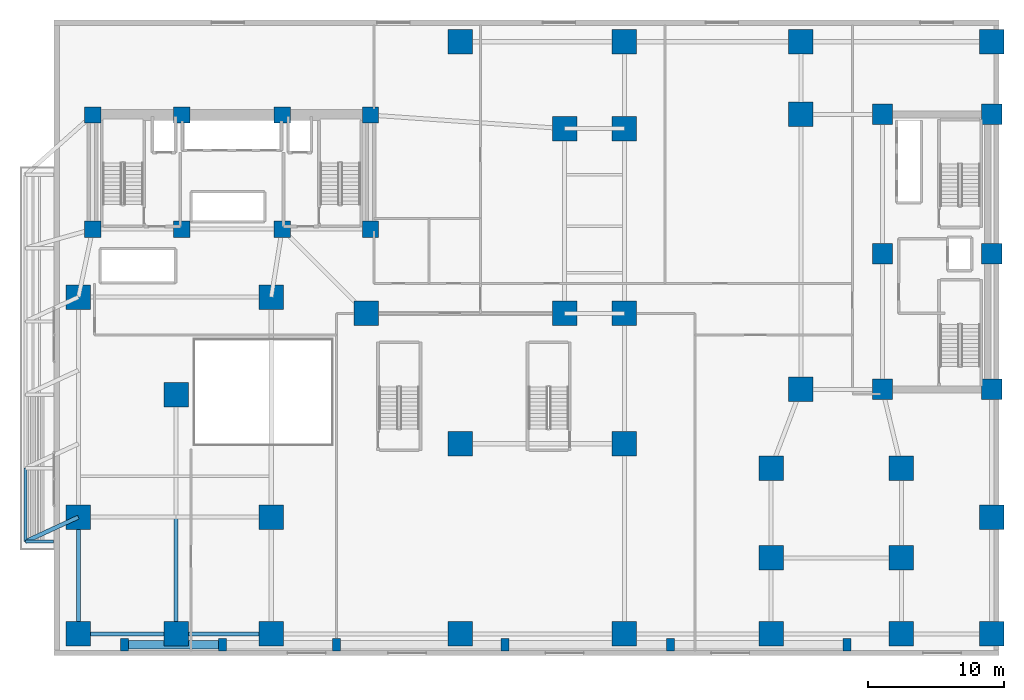
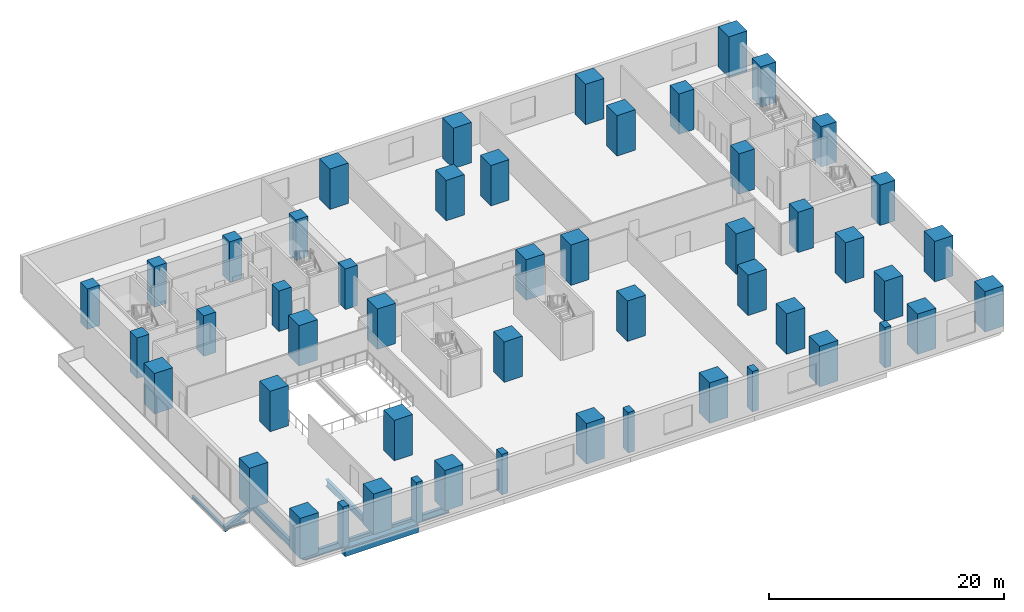
# One storey, part 1 of 13: 51 columns, 8 beams.
"""IFC4 building model written with IfcOpenShell, lengths in metres."""

from ifc_helpers import new_model, si_unit, direction, frame, origin, origin_2d, place, context, subcontext, project, spatial, rectangle, i_section, extrude, material, material_profile, profile_set, type_object, element, save


model = new_model("IFC4")

# Units and contexts
model_context = context("Model", 3, precision=1e-05, world=origin(), true_north=direction((0.0, 1.0)))
body_context = subcontext(model_context, "Body", "Model", "MODEL_VIEW")
ifc_project = project(units=[si_unit("LENGTHUNIT", "METRE"), si_unit("AREAUNIT", "SQUARE_METRE"), si_unit("VOLUMEUNIT", "CUBIC_METRE"), si_unit("PLANEANGLEUNIT", "RADIAN"), si_unit("MASSUNIT", "GRAM", prefix="KILO")], contexts=[model_context])

# Site, building, storey
site_placement = place(None, origin())
site = spatial("IfcSite", under=ifc_project, at=site_placement, CompositionType="ELEMENT")
building_placement = place(site_placement, origin())
building = spatial("IfcBuilding", under=site, at=building_placement, Name="Kuzgunbayir Cultural Tower", CompositionType="ELEMENT")
storey_placement = place(building_placement, frame((0.0, 0.0, 4.60009765625)))
storey = spatial("IfcBuildingStorey", under=building, at=storey_placement, Name="L01", CompositionType="ELEMENT", Elevation=4.60009765625)

# Columns
ifc_material_1 = material(Name="Concrete C60/75", Category="concrete")
ifc_material_profile_1 = material_profile(ifc_material_1, rectangle(XDim=1.199951171875, YDim=1.199951171875, at=origin_2d()), Name="RC 1200x1200")
ifc_profile_set_1 = profile_set([ifc_material_profile_1], Name="Concrete C60/75")
column_type_1 = type_object("IfcColumnType", Name="COL-CORE-1200", PredefinedType="COLUMN", material=ifc_profile_set_1)
for number, where, z_axis, x_axis, name in (
    (1, (6.449951171875, 33.800048828125, 0.0), (0.0, 0.0, 1.0), (1.0, 0.0, 0.0), "L01 T1 Core Boundary Column CC1-1"),
    (2, (13.0, 33.800048828125, 0.0), (0.0, 0.0, 1.0), (1.0, 0.0, 0.0), "L01 T1 Core Boundary Column CC1-2"),
    (3, (20.39990234375, 33.800048828125, 0.0), (0.0, 0.0, 1.0), (1.0, 0.0, 0.0), "L01 T1 Core Boundary Column CC1-3"),
    (4, (26.89990234375, 33.800048828125, 0.0), (0.0, 0.0, 1.0), (1.0, 0.0, 0.0), "L01 T1 Core Boundary Column CC1-4"),
    (5, (6.449951171875, 42.199951171875, 0.0), (0.0, 0.0, 1.0), (1.0, 0.0, 0.0), "L01 T1 Core Boundary Column CC1-5"),
    (6, (13.0, 42.199951171875, 0.0), (0.0, 0.0, 1.0), (1.0, 0.0, 0.0), "L01 T1 Core Boundary Column CC1-6"),
    (7, (20.39990234375, 42.199951171875, 0.0), (0.0, 0.0, 1.0), (1.0, 0.0, 0.0), "L01 T1 Core Boundary Column CC1-7"),
    (8, (26.89990234375, 42.199951171875, 0.0), (0.0, 0.0, 1.0), (1.0, 0.0, 0.0), "L01 T1 Core Boundary Column CC1-8"),
):
    element("IfcColumn", number, at=place(storey_placement, frame(where, z_axis=z_axis, x_axis=x_axis)), inside=storey, type_object=column_type_1, Name=name, PredefinedType="COLUMN", context=body_context, shape_type="SweptSolid", body=[
        extrude(rectangle(XDim=1.199951171875, YDim=1.199951171875, at=origin_2d()), origin(), (0.0, 0.0, 1.0), 4.199951171875),
    ])
ifc_material_profile_2 = material_profile(ifc_material_1, rectangle(XDim=1.5, YDim=1.5, at=origin_2d()), Name="RC 1500x1500")
ifc_profile_set_2 = profile_set([ifc_material_profile_2], Name="Concrete C60/75")
column_type_2 = type_object("IfcColumnType", Name="COL-MEGA-1500", PredefinedType="COLUMN", material=ifc_profile_set_2)
for number, where, z_axis, x_axis, name in (
    (9, (64.60009765625, 22.0, 0.0), (0.0, 0.0, 1.0), (1.0, 0.0, 0.0), "L01 T2 Core Boundary Column CC2-1"),
    (10, (72.64990234375, 22.0, 0.0), (0.0, 0.0, 1.0), (1.0, 0.0, 0.0), "L01 T2 Core Boundary Column CC2-2"),
    (11, (64.60009765625, 32.0, 0.0), (0.0, 0.0, 1.0), (1.0, 0.0, 0.0), "L01 T2 Core Boundary Column CC2-3"),
    (12, (72.64990234375, 32.0, 0.0), (0.0, 0.0, 1.0), (1.0, 0.0, 0.0), "L01 T2 Core Boundary Column CC2-4"),
    (13, (64.60009765625, 42.25, 0.0), (0.0, 0.0, 1.0), (1.0, 0.0, 0.0), "L01 T2 Core Boundary Column CC2-5"),
    (14, (72.64990234375, 42.25, 0.0), (0.0, 0.0, 1.0), (1.0, 0.0, 0.0), "L01 T2 Core Boundary Column CC2-6"),
):
    element("IfcColumn", number, at=place(storey_placement, frame(where, z_axis=z_axis, x_axis=x_axis)), inside=storey, type_object=column_type_2, Name=name, PredefinedType="COLUMN", context=body_context, shape_type="SweptSolid", body=[
        extrude(rectangle(XDim=1.5, YDim=1.5, at=origin_2d()), origin(), (0.0, 0.0, 1.0), 4.199951171875),
    ])
ifc_material_profile_3 = material_profile(ifc_material_1, rectangle(XDim=1.800048828125, YDim=1.800048828125, at=origin_2d()), Name="RC 1800x1800")
ifc_profile_set_3 = profile_set([ifc_material_profile_3], Name="Concrete C60/75")
column_type_3 = type_object("IfcColumnType", Name="COL-MEGA-1800", PredefinedType="COLUMN", material=ifc_profile_set_3)
for number, where, z_axis, x_axis, name in (
    (15, (5.39990234375, 12.60009765625, 0.0), (0.0, 0.0, 1.0), (1.0, 0.0, 0.0), "L01 Podium Mega-Column PC-T1A-SW"),
    (16, (19.60009765625, 12.60009765625, 0.0), (0.0, 0.0, 1.0), (1.0, 0.0, 0.0), "L01 Podium Mega-Column PC-T1A-SE"),
    (17, (5.39990234375, 28.800048828125, 0.0), (0.0, 0.0, 1.0), (1.0, 0.0, 0.0), "L01 Podium Mega-Column PC-T1A-NW"),
    (18, (19.60009765625, 28.800048828125, 0.0), (0.0, 0.0, 1.0), (1.0, 0.0, 0.0), "L01 Podium Mega-Column PC-T1A-NE"),
    (19, (26.60009765625, 27.60009765625, 0.0), (0.0, 0.0, 1.0), (1.0, 0.0, 0.0), "L01 Podium Mega-Column PC-T1B-1S"),
    (20, (41.199951171875, 27.60009765625, 0.0), (0.0, 0.0, 1.0), (1.0, 0.0, 0.0), "L01 Podium Mega-Column PC-T1B-4S"),
    (21, (45.60009765625, 27.60009765625, 0.0), (0.0, 0.0, 1.0), (1.0, 0.0, 0.0), "L01 Podium Mega-Column PC-T1B-5S"),
    (22, (41.199951171875, 41.199951171875, 0.0), (0.0, 0.0, 1.0), (1.0, 0.0, 0.0), "L01 Podium Mega-Column PC-T1B-4N"),
    (23, (45.60009765625, 41.199951171875, 0.0), (0.0, 0.0, 1.0), (1.0, 0.0, 0.0), "L01 Podium Mega-Column PC-T1B-5N"),
    (24, (58.60009765625, 22.0, 0.0), (0.0, 0.0, 1.0), (1.0, 0.0, 0.0), "L01 Podium Mega-Column PC-T2A-SW"),
    (25, (58.60009765625, 42.25, 0.0), (0.0, 0.0, 1.0), (1.0, 0.0, 0.0), "L01 Podium Mega-Column PC-T2A-NW"),
    (26, (56.39990234375, 9.60009765625, 0.0), (0.0, 0.0, 1.0), (1.0, 0.0, 0.0), "L01 Podium Mega-Column PC-T2B-SW"),
    (27, (66.0, 9.60009765625, 0.0), (0.0, 0.0, 1.0), (1.0, 0.0, 0.0), "L01 Podium Mega-Column PC-T2B-SE"),
    (28, (56.39990234375, 16.199951171875, 0.0), (0.0, 0.0, 1.0), (1.0, 0.0, 0.0), "L01 Podium Mega-Column PC-T2B-MW"),
    (29, (66.0, 16.199951171875, 0.0), (0.0, 0.0, 1.0), (1.0, 0.0, 0.0), "L01 Podium Mega-Column PC-T2B-ME"),
    (30, (5.39990234375, 4.0, 0.0), (0.0, 0.0, 1.0), (1.0, 0.0, 0.0), "L01 Podium Mega-Column PC-P01"),
    (31, (12.60009765625, 4.0, 0.0), (0.0, 0.0, 1.0), (1.0, 0.0, 0.0), "L01 Podium Mega-Column PC-P02"),
    (32, (19.60009765625, 4.0, 0.0), (0.0, 0.0, 1.0), (1.0, 0.0, 0.0), "L01 Podium Mega-Column PC-P03"),
    (33, (33.5, 4.0, 0.0), (0.0, 0.0, 1.0), (1.0, 0.0, 0.0), "L01 Podium Mega-Column PC-P04"),
    (34, (45.60009765625, 4.0, 0.0), (0.0, 0.0, 1.0), (1.0, 0.0, 0.0), "L01 Podium Mega-Column PC-P05"),
    (35, (56.39990234375, 4.0, 0.0), (0.0, 0.0, 1.0), (1.0, 0.0, 0.0), "L01 Podium Mega-Column PC-P06"),
    (36, (66.0, 4.0, 0.0), (0.0, 0.0, 1.0), (1.0, 0.0, 0.0), "L01 Podium Mega-Column PC-P07"),
    (37, (72.64990234375, 4.0, 0.0), (0.0, 0.0, 1.0), (1.0, 0.0, 0.0), "L01 Podium Mega-Column PC-P08"),
    (38, (12.60009765625, 21.60009765625, 0.0), (0.0, 0.0, 1.0), (1.0, 0.0, 0.0), "L01 Podium Mega-Column PC-P09"),
    (39, (33.5, 18.0, 0.0), (0.0, 0.0, 1.0), (1.0, 0.0, 0.0), "L01 Podium Mega-Column PC-P10"),
    (40, (45.60009765625, 18.0, 0.0), (0.0, 0.0, 1.0), (1.0, 0.0, 0.0), "L01 Podium Mega-Column PC-P11"),
    (41, (72.64990234375, 12.60009765625, 0.0), (0.0, 0.0, 1.0), (1.0, 0.0, 0.0), "L01 Podium Mega-Column PC-P12"),
    (42, (33.5, 47.60009765625, 0.0), (0.0, 0.0, 1.0), (1.0, 0.0, 0.0), "L01 Podium Mega-Column PC-P13"),
    (43, (45.60009765625, 47.60009765625, 0.0), (0.0, 0.0, 1.0), (1.0, 0.0, 0.0), "L01 Podium Mega-Column PC-P14"),
    (44, (58.60009765625, 47.60009765625, 0.0), (0.0, 0.0, 1.0), (1.0, 0.0, 0.0), "L01 Podium Mega-Column PC-P15"),
    (45, (72.64990234375, 47.60009765625, 0.0), (0.0, 0.0, 1.0), (1.0, 0.0, 0.0), "L01 Podium Mega-Column PC-P16"),
):
    element("IfcColumn", number, at=place(storey_placement, frame(where, z_axis=z_axis, x_axis=x_axis)), inside=storey, type_object=column_type_3, Name=name, PredefinedType="COLUMN", context=body_context, shape_type="SweptSolid", body=[
        extrude(rectangle(XDim=1.800048828125, YDim=1.800048828125, at=origin_2d()), origin(), (0.0, 0.0, 1.0), 4.199951171875),
    ])
ifc_material_profile_4 = material_profile(ifc_material_1, rectangle(XDim=0.60009765625, YDim=0.89990234375, at=origin_2d()), Name="RC 600x900")
ifc_profile_set_4 = profile_set([ifc_material_profile_4], Name="Concrete C60/75")
column_type_4 = type_object("IfcColumnType", Name="COL-PILASTER-600x900", PredefinedType="PILASTER", material=ifc_profile_set_4)
for number, where, z_axis, x_axis, name in (
    (46, (8.800048828125, 3.199951171875, 0.0), (0.0, 0.0, 1.0), (1.0, 0.0, 0.0), "L01 South Facade Pilaster 1"),
    (47, (16.0, 3.199951171875, 0.0), (0.0, 0.0, 1.0), (1.0, 0.0, 0.0), "L01 South Facade Pilaster 2"),
    (48, (24.39990234375, 3.199951171875, 0.0), (0.0, 0.0, 1.0), (1.0, 0.0, 0.0), "L01 South Facade Pilaster 3"),
    (49, (36.800048828125, 3.199951171875, 0.0), (0.0, 0.0, 1.0), (1.0, 0.0, 0.0), "L01 South Facade Pilaster 4"),
    (50, (49.0, 3.199951171875, 0.0), (0.0, 0.0, 1.0), (1.0, 0.0, 0.0), "L01 South Facade Pilaster 5"),
    (51, (62.0, 3.199951171875, 0.0), (0.0, 0.0, 1.0), (1.0, 0.0, 0.0), "L01 South Facade Pilaster 6"),
):
    element("IfcColumn", number, at=place(storey_placement, frame(where, z_axis=z_axis, x_axis=x_axis)), inside=storey, type_object=column_type_4, Name=name, PredefinedType="PILASTER", context=body_context, shape_type="SweptSolid", body=[
        extrude(rectangle(XDim=0.60009765625, YDim=0.89990234375, at=origin_2d()), origin(), (0.0, 0.0, 1.0), 4.199951171875),
    ])

# Beams
ifc_material_2 = material(Name="Steel S355J2", Category="steel")
ifc_material_profile_5 = material_profile(ifc_material_2, i_section(OverallWidth=0.219970703125, OverallDepth=0.219970703125, WebThickness=0.009521484375, FlangeThickness=0.01611328125, FilletRadius=0.01806640625, at=origin_2d()), Name="HEB 220")
ifc_profile_set_5 = profile_set([ifc_material_profile_5], Name="Steel S355J2")
beam_type_1 = type_object("IfcBeamType", Name="BM-CAN-HEB220", PredefinedType="BEAM", material=ifc_profile_set_5)
beam_1_placement = place(storey_placement, frame((1.5, 10.800048828125, -0.360107421875), z_axis=(0.0, 1.0, 0.0), x_axis=(-1.0, 0.0, 0.0)))
element("IfcBeam", 52, at=beam_1_placement, inside=storey, type_object=beam_type_1, Name="L01 Entrance Canopy Edge Beam 1", PredefinedType="BEAM", context=body_context, shape_type="SweptSolid", body=[
    extrude(i_section(OverallWidth=0.219970703125, OverallDepth=0.219970703125, WebThickness=0.009521484375, FlangeThickness=0.01611328125, FilletRadius=0.01806640625, at=origin_2d()), origin(), (0.0, 0.0, 1.0), 5.39990234375),
])
ifc_material_profile_6 = material_profile(ifc_material_2, i_section(OverallWidth=0.239990234375, OverallDepth=0.239990234375, WebThickness=0.010009765625, FlangeThickness=0.01708984375, FilletRadius=0.02099609375, at=origin_2d()), Name="HEB 240")
ifc_profile_set_6 = profile_set([ifc_material_profile_6], Name="Steel S355J2")
beam_type_2 = type_object("IfcBeamType", Name="BM-CAN-HEB240", PredefinedType="BEAM", material=ifc_profile_set_6)
beam_2_placement = place(storey_placement, frame((1.5, 10.800048828125, -0.3701171875), z_axis=(1.0, 0.0, 0.0), x_axis=(0.0, 1.0, 0.0)))
element("IfcBeam", 53, at=beam_2_placement, inside=storey, type_object=beam_type_2, Name="L01 Entrance Canopy Cantilever 1", PredefinedType="BEAM", context=body_context, shape_type="SweptSolid", body=[
    extrude(i_section(OverallWidth=0.239990234375, OverallDepth=0.239990234375, WebThickness=0.010009765625, FlangeThickness=0.01708984375, FilletRadius=0.02099609375, at=origin_2d()), origin(), (0.0, 0.0, 1.0), 2.050048828125),
])
ifc_material_profile_7 = material_profile(ifc_material_2, i_section(OverallWidth=0.300048828125, OverallDepth=0.5, WebThickness=0.014404296875, FlangeThickness=0.028076171875, FilletRadius=0.027099609375, at=origin_2d()), Name="HEB 500")
ifc_profile_set_7 = profile_set([ifc_material_profile_7], Name="Steel S355J2")
beam_type_3 = type_object("IfcBeamType", Name="BM-EXT-HEB500", PredefinedType="BEAM", material=ifc_profile_set_7)
beam_3_placement = place(storey_placement, frame((1.5, 10.800048828125, -0.5), z_axis=(0.907951066374, 0.419076199598, 0.0), x_axis=(-0.419076199598, 0.907951066374, 0.0)))
element("IfcBeam", 54, at=beam_3_placement, inside=storey, type_object=beam_type_3, Name="L01 Colonnade Structural Tie South", PredefinedType="BEAM", context=body_context, shape_type="SweptSolid", body=[
    extrude(i_section(OverallWidth=0.300048828125, OverallDepth=0.5, WebThickness=0.014404296875, FlangeThickness=0.028076171875, FilletRadius=0.027099609375, at=origin_2d()), origin(), (0.0, 0.0, 1.0), 4.295166015625),
])
ifc_material_profile_8 = material_profile(ifc_material_2, i_section(OverallWidth=0.300048828125, OverallDepth=0.699951171875, WebThickness=0.01708984375, FlangeThickness=0.031982421875, FilletRadius=0.027099609375, at=origin_2d()), Name="HEB 700")
ifc_profile_set_8 = profile_set([ifc_material_profile_8], Name="Steel S355J2")
beam_type_4 = type_object("IfcBeamType", Name="BM-GIR-HEB700", PredefinedType="BEAM", material=ifc_profile_set_8)
beam_4_placement = place(storey_placement, frame((5.39990234375, 4.0, -0.60009765625), z_axis=(1.0, 0.0, 0.0), x_axis=(0.0, 1.0, 0.0)))
element("IfcBeam", 55, at=beam_4_placement, inside=storey, type_object=beam_type_4, Name="L01 Podium South Girder 1", PredefinedType="BEAM", context=body_context, shape_type="SweptSolid", body=[
    extrude(i_section(OverallWidth=0.300048828125, OverallDepth=0.699951171875, WebThickness=0.01708984375, FlangeThickness=0.031982421875, FilletRadius=0.027099609375, at=origin_2d()), origin(), (0.0, 0.0, 1.0), 7.2001953125),
])
beam_5_placement = place(storey_placement, frame((12.60009765625, 4.0, -0.60009765625), z_axis=(1.0, 0.0, 0.0), x_axis=(0.0, 1.0, 0.0)))
element("IfcBeam", 56, at=beam_5_placement, inside=storey, type_object=beam_type_4, Name="L01 Podium South Girder 2", PredefinedType="BEAM", context=body_context, shape_type="SweptSolid", body=[
    extrude(i_section(OverallWidth=0.300048828125, OverallDepth=0.699951171875, WebThickness=0.01708984375, FlangeThickness=0.031982421875, FilletRadius=0.027099609375, at=origin_2d()), origin(), (0.0, 0.0, 1.0), 7.0),
])
for number, where, z_axis, x_axis, name in (
    (57, (5.39990234375, 4.0, -0.60009765625), (0.0, 1.0, 0.0), (-1.0, 0.0, 0.0), "L01 Podium Primary Girder 33"),
    (58, (12.60009765625, 4.0, -0.60009765625), (0.0, 1.0, 0.0), (-1.0, 0.0, 0.0), "L01 Podium Primary Girder 34"),
):
    element("IfcBeam", number, at=place(storey_placement, frame(where, z_axis=z_axis, x_axis=x_axis)), inside=storey, type_object=beam_type_4, Name=name, PredefinedType="BEAM", context=body_context, shape_type="SweptSolid", body=[
        extrude(i_section(OverallWidth=0.300048828125, OverallDepth=0.699951171875, WebThickness=0.01708984375, FlangeThickness=0.031982421875, FilletRadius=0.027099609375, at=origin_2d()), origin(), (0.0, 0.0, 1.0), 8.60009765625),
    ])
ifc_material_3 = material(Name="Concrete C40/50", Category="concrete")
ifc_material_profile_9 = material_profile(ifc_material_3, rectangle(XDim=0.60009765625, YDim=0.89990234375, at=origin_2d()), Name="RC 600x900")
ifc_profile_set_9 = profile_set([ifc_material_profile_9], Name="Concrete C40/50")
beam_type_5 = type_object("IfcBeamType", Name="BM-SPN-RC600x900", PredefinedType="SPANDREL", material=ifc_profile_set_9)
beam_6_placement = place(storey_placement, frame((8.800048828125, 3.199951171875, -0.7001953125), z_axis=(1.0, 0.0, 0.0), x_axis=(0.0, 1.0, 0.0)))
element("IfcBeam", 59, at=beam_6_placement, inside=storey, type_object=beam_type_5, Name="L01 South Edge Girder 1", PredefinedType="SPANDREL", context=body_context, shape_type="SweptSolid", body=[
    extrude(rectangle(XDim=0.60009765625, YDim=0.89990234375, at=origin_2d()), origin(), (0.0, 0.0, 1.0), 7.199951171875),
])

save(model, "model.ifc")
